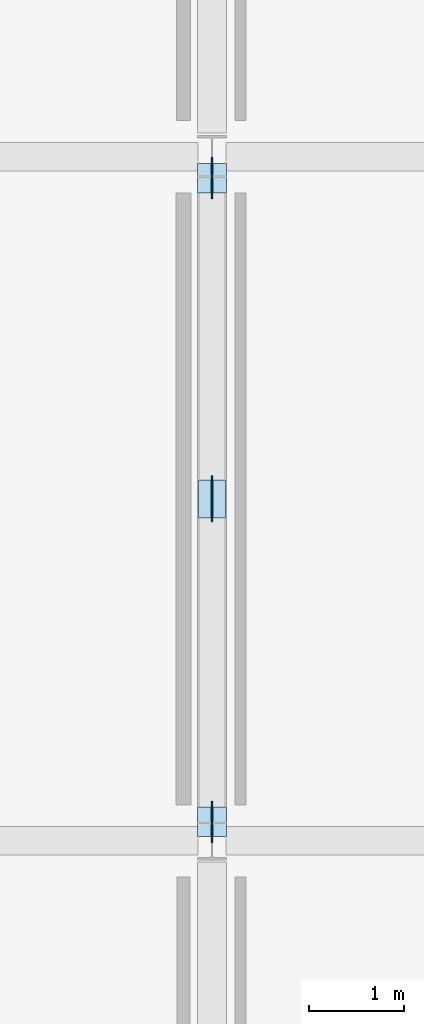
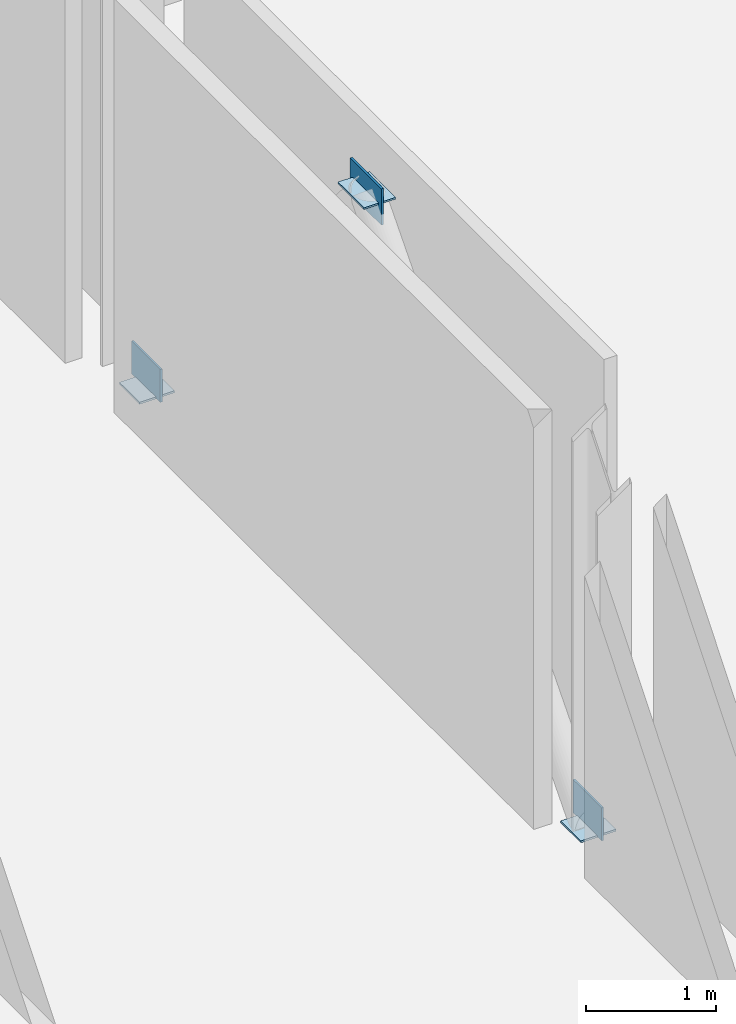
# One storey, part 49 of 76: 6 plates.
"""IFC4 building model written with IfcOpenShell, lengths in metres."""

from ifc_helpers import new_model, si_unit, direction, frame, origin, origin_2d, place, context, subcontext, project, spatial, rectangle, extrude, material, layer, layer_set, type_object, element, save


model = new_model("IFC4")

# Units and contexts
model_context = context("Model", 3, precision=1e-05, world=origin(), true_north=direction((0.0, 1.0)))
body_context = subcontext(model_context, "Body", "Model", "MODEL_VIEW")
ifc_project = project(units=[si_unit("LENGTHUNIT", "METRE"), si_unit("AREAUNIT", "SQUARE_METRE"), si_unit("VOLUMEUNIT", "CUBIC_METRE"), si_unit("PLANEANGLEUNIT", "RADIAN"), si_unit("MASSUNIT", "GRAM", prefix="KILO")], contexts=[model_context])

# Site, building, storey
site_placement = place(None, origin())
site = spatial("IfcSite", under=ifc_project, at=site_placement, CompositionType="ELEMENT")
building_placement = place(site_placement, origin())
building = spatial("IfcBuilding", under=site, at=building_placement, Name="Zarrinpeak Specialist Clinic", CompositionType="ELEMENT")
storey_placement = place(building_placement, frame((0.0, 0.0, 5.199951171875)))
storey = spatial("IfcBuildingStorey", under=building, at=storey_placement, Name="L01", CompositionType="ELEMENT", Elevation=5.199951171875)

# Plates
ifc_material = material(Name="Steel S355", Category="steel")
ifc_layer_1 = layer(ifc_material, 0.01806640625)
ifc_layer_set_1 = layer_set([ifc_layer_1], Name="Steel S355")
plate_type_1 = type_object("IfcPlateType", Name="PL-CAP273", PredefinedType="SHEET", material=ifc_layer_set_1)
for number, where, z_axis, x_axis, name in (
    (1, (50.39990234375, 89.39990234375, 0.0), (0.0, 0.0, 1.0), (1.0, 0.0, 0.0), "V6 L01 Hollow Brace Foot Cap Plate A"),
    (2, (50.39990234375, 96.175048828125, 0.0), (0.0, 0.0, 1.0), (1.0, 0.0, 0.0), "V6 L01 Hollow Brace Foot Cap Plate B"),
):
    element("IfcPlate", number, at=place(storey_placement, frame(where, z_axis=z_axis, x_axis=x_axis)), inside=storey, type_object=plate_type_1, Name=name, PredefinedType="SHEET", context=body_context, shape_type="SweptSolid", body=[
        extrude(rectangle(XDim=0.31005859375, YDim=0.31005859375, at=origin_2d()), origin(), (0.0, 0.0, 1.0), 0.01806640625),
    ])
ifc_layer_2 = layer(ifc_material, 0.02001953125)
ifc_layer_set_2 = layer_set([ifc_layer_2], Name="Steel S355")
plate_type_2 = type_object("IfcPlateType", Name="PL-GN01", PredefinedType="SHEET", material=ifc_layer_set_2)
plate_1_placement = place(storey_placement, frame((50.39990234375, 92.800048828125, 3.72509765625), z_axis=(0.0, 0.0, 1.0), x_axis=(1.0, 0.0, 0.0)))
element("IfcPlate", 3, at=plate_1_placement, inside=storey, type_object=plate_type_2, Name="V6 L01 Chevron Gusset Node Plate GN-V6-L01", PredefinedType="SHEET", context=body_context, shape_type="SweptSolid", body=[
    extrude(rectangle(XDim=0.02001953125, YDim=0.47998046875, at=origin_2d()), origin(), (0.0, 0.0, 1.0), 0.340087890625),
])
ifc_layer_3 = layer(ifc_material, 0.01611328125)
ifc_layer_set_3 = layer_set([ifc_layer_3], Name="Steel S355")
plate_type_3 = type_object("IfcPlateType", Name="PL-GN02", PredefinedType="SHEET", material=ifc_layer_set_3)
plate_2_placement = place(storey_placement, frame((50.39990234375, 92.800048828125, 3.89306640625), z_axis=(0.0, 0.0, 1.0), x_axis=(1.0, 0.0, 0.0)))
element("IfcPlate", 4, at=plate_2_placement, inside=storey, type_object=plate_type_3, Name="V6 L01 Chevron Apex Seal Plate GNCAP-V6-L01", PredefinedType="SHEET", context=body_context, shape_type="SweptSolid", body=[
    extrude(rectangle(XDim=0.280029296875, YDim=0.39990234375, at=origin_2d()), origin(), (0.0, 0.0, 1.0), 0.01611328125),
])
ifc_layer_4 = layer(ifc_material, 0.01806640625)
ifc_layer_set_4 = layer_set([ifc_layer_4], Name="Steel S355")
plate_type_4 = type_object("IfcPlateType", Name="PL-GN03", PredefinedType="SHEET", material=ifc_layer_set_4)
for number, where, z_axis, x_axis, name in (
    (5, (50.39990234375, 89.39990234375, 0.005126953125), (0.0, 0.0, 1.0), (1.0, 0.0, 0.0), "V6 L01 Brace Foot Gusset Plate GNF-V6-L01-A"),
    (6, (50.39990234375, 96.175048828125, 0.005126953125), (0.0, 0.0, 1.0), (1.0, 0.0, 0.0), "V6 L01 Brace Foot Gusset Plate GNF-V6-L01-B"),
):
    element("IfcPlate", number, at=place(storey_placement, frame(where, z_axis=z_axis, x_axis=x_axis)), inside=storey, type_object=plate_type_4, Name=name, PredefinedType="SHEET", context=body_context, shape_type="SweptSolid", body=[
        extrude(rectangle(XDim=0.01806640625, YDim=0.43994140625, at=origin_2d()), origin(), (0.0, 0.0, 1.0), 0.31005859375),
    ])

save(model, "model.ifc")
